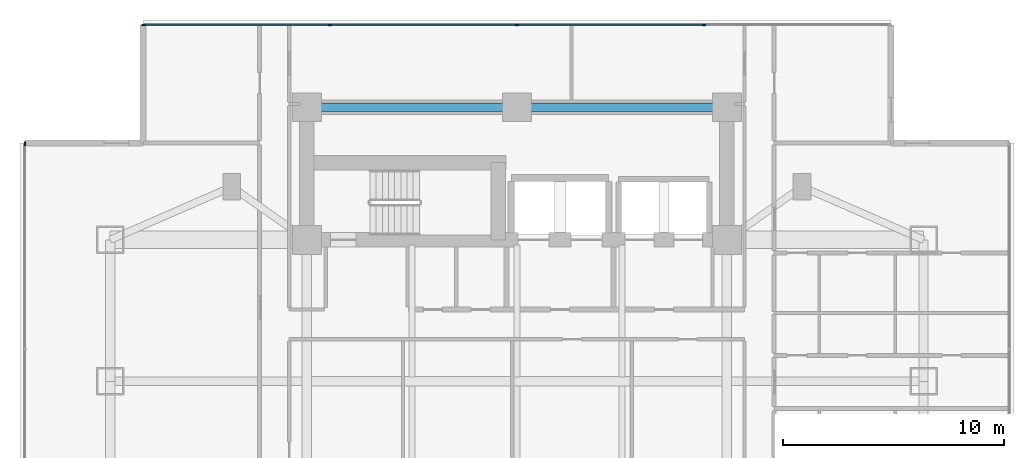
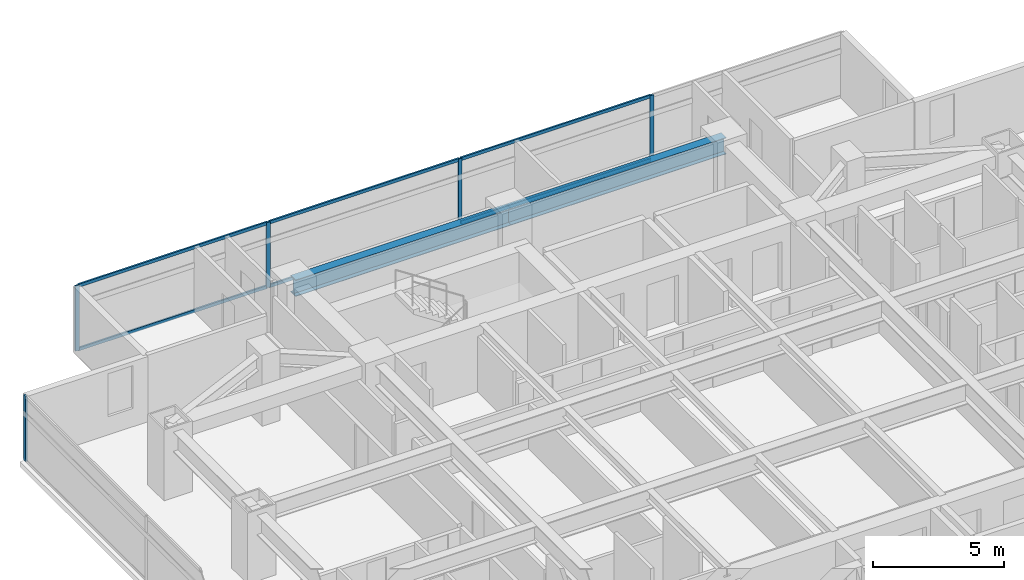
# One storey, part 7 of 24: 11 members, 2 beams, 2 elements without a shape of their own.
"""IFC4 building model written with IfcOpenShell, lengths in metres."""

from ifc_helpers import new_model, si_unit, direction, frame, origin, origin_2d, place, context, subcontext, project, spatial, rectangle, i_section, extrude, material, material_profile, profile_set, type_object, element, aggregate, save


model = new_model("IFC4")

# Units and contexts
model_context = context("Model", 3, precision=1e-05, world=origin(), true_north=direction((0.0, 1.0)))
body_context = subcontext(model_context, "Body", "Model", "MODEL_VIEW")
ifc_project = project(units=[si_unit("LENGTHUNIT", "METRE"), si_unit("AREAUNIT", "SQUARE_METRE"), si_unit("VOLUMEUNIT", "CUBIC_METRE"), si_unit("PLANEANGLEUNIT", "RADIAN"), si_unit("MASSUNIT", "GRAM", prefix="KILO")], contexts=[model_context])

# Site, building, storey
site_placement = place(None, origin())
site = spatial("IfcSite", under=ifc_project, at=site_placement, CompositionType="ELEMENT")
building_placement = place(site_placement, origin())
building = spatial("IfcBuilding", under=site, at=building_placement, Name="Mirazonda Arch Towers", CompositionType="ELEMENT")
storey_placement = place(building_placement, frame((0.0, 0.0, 71.89990234375)))
storey = spatial("IfcBuildingStorey", under=building, at=storey_placement, Name="L20", CompositionType="ELEMENT", Elevation=71.89990234375)

# Beams
ifc_material_1 = material(Name="Steel ASTM A992 Grade 50", Category="steel")
ifc_material_profile_1 = material_profile(ifc_material_1, i_section(OverallWidth=0.381103515625, OverallDepth=0.77294921875, WebThickness=0.0166015625, FlangeThickness=0.027099609375, at=origin_2d()), Name="W30X173")
ifc_profile_set_1 = profile_set([ifc_material_profile_1], Name="Steel ASTM A992 Grade 50")
beam_type = type_object("IfcBeamType", Name="BM-INT-W30X173", PredefinedType="USERDEFINED", material=ifc_profile_set_1)
for number, where, z_axis, x_axis, name in (
    (1, (11.0, 43.60009765625, 2.673583984375), (1.0, 0.0, 0.0), (0.0, 1.0, 0.0), "L20 Floor Beam BM-T1-L20-CN1"),
    (2, (20.5, 43.60009765625, 2.673583984375), (1.0, 0.0, 0.0), (0.0, 1.0, 0.0), "L20 Floor Beam BM-T1-L20-CN2"),
):
    element("IfcBeam", number, at=place(storey_placement, frame(where, z_axis=z_axis, x_axis=x_axis)), inside=storey, type_object=beam_type, Name=name, ObjectType="GIRDER", PredefinedType="USERDEFINED", context=body_context, shape_type="SweptSolid", body=[
        extrude(i_section(OverallWidth=0.381103515625, OverallDepth=0.77294921875, WebThickness=0.0166015625, FlangeThickness=0.027099609375, at=origin_2d()), origin(), (0.0, 0.0, 1.0), 9.5),
    ])

# Curtain wall, members
ifc_material_2 = material(Name="Anodised Aluminium and Low-E Glass", Category="aluminium")
curtain_wall_type = type_object("IfcCurtainWallType", Name="CW-HTL-UNIT", PredefinedType="NOTDEFINED", material=ifc_material_2)
curtain_wall_1_placement = place(storey_placement, origin())
curtain_wall_1 = element("IfcCurtainWall", 3, at=curtain_wall_1_placement, inside=storey, type_object=curtain_wall_type, Name="L20 T1 N Facade CW-L20-T1-N", PredefinedType="NOTDEFINED")
ifc_material_3 = material(Name="Anodised Aluminium Alloy", Category="aluminium")
ifc_material_profile_2 = material_profile(ifc_material_3, rectangle(XDim=0.074951171875, YDim=0.1650390625, at=origin_2d()), Name="ALU-MULL-75x165")
ifc_profile_set_2 = profile_set([ifc_material_profile_2], Name="Anodised Aluminium Alloy")
member_type_1 = type_object("IfcMemberType", Name="MULL-CW-HTL-UNIT", PredefinedType="MULLION", material=ifc_profile_set_2)
member_1_placement = place(storey_placement, frame((3.617431640625, 47.327880859375, 0.0), z_axis=(0.0, 0.0, 1.0), x_axis=(0.0, 1.0, 0.0)))
member_1 = element("IfcMember", 4, at=member_1_placement, type_object=member_type_1, Name="CW-112 mullion 1", PredefinedType="MULLION", context=body_context, shape_type="SweptSolid", body=[
    extrude(rectangle(XDim=0.074951171875, YDim=0.1650390625, at=origin_2d()), origin(), (0.0, 0.0, 1.0), 3.0400390625),
])
member_2_placement = place(storey_placement, frame((12.0400390625, 47.327880859375, 0.0), z_axis=(0.0, 0.0, 1.0), x_axis=(0.0, 1.0, 0.0)))
member_2 = element("IfcMember", 5, at=member_2_placement, type_object=member_type_1, Name="CW-112 mullion 2", PredefinedType="MULLION", context=body_context, shape_type="SweptSolid", body=[
    extrude(rectangle(XDim=0.074951171875, YDim=0.1650390625, at=origin_2d()), origin(), (0.0, 0.0, 1.0), 3.0400390625),
])
member_3_placement = place(storey_placement, frame((20.5, 47.327880859375, 0.0), z_axis=(0.0, 0.0, 1.0), x_axis=(0.0, 1.0, 0.0)))
member_3 = element("IfcMember", 6, at=member_3_placement, type_object=member_type_1, Name="CW-112 mullion 3", PredefinedType="MULLION", context=body_context, shape_type="SweptSolid", body=[
    extrude(rectangle(XDim=0.074951171875, YDim=0.1650390625, at=origin_2d()), origin(), (0.0, 0.0, 1.0), 3.0400390625),
])
member_4_placement = place(storey_placement, frame((28.9599609375, 47.327880859375, 0.0), z_axis=(0.0, 0.0, 1.0), x_axis=(0.0, 1.0, 0.0)))
member_4 = element("IfcMember", 7, at=member_4_placement, type_object=member_type_1, Name="CW-112 mullion 4", PredefinedType="MULLION", context=body_context, shape_type="SweptSolid", body=[
    extrude(rectangle(XDim=0.074951171875, YDim=0.1650390625, at=origin_2d()), origin(), (0.0, 0.0, 1.0), 3.0400390625),
])

# Curtain wall, member
curtain_wall_2_placement = place(storey_placement, origin())
curtain_wall_2 = element("IfcCurtainWall", 8, at=curtain_wall_2_placement, inside=storey, type_object=curtain_wall_type, Name="L20 T1 W Facade CW-L20-T1-W", PredefinedType="NOTDEFINED")
member_5_placement = place(storey_placement, frame((-1.760009765625, 41.950439453125, 0.0), z_axis=(0.0, 0.0, 1.0), x_axis=(1.0, 0.0, 0.0)))
member_5 = element("IfcMember", 9, at=member_5_placement, type_object=member_type_1, Name="CW-112 mullion 1", PredefinedType="MULLION", context=body_context, shape_type="SweptSolid", body=[
    extrude(rectangle(XDim=0.074951171875, YDim=0.1650390625, at=origin_2d()), origin(), (0.0, 0.0, 1.0), 3.0400390625),
])
aggregate(curtain_wall_2, [member_5])

# Member
ifc_material_profile_3 = material_profile(ifc_material_3, rectangle(XDim=0.074951171875, YDim=0.14501953125, at=origin_2d()), Name="ALU-TRAN-75x145")
ifc_profile_set_3 = profile_set([ifc_material_profile_3], Name="Anodised Aluminium Alloy")
member_type_2 = type_object("IfcMemberType", Name="TRAN-CW-HTL-UNIT", PredefinedType="USERDEFINED", material=ifc_profile_set_3)
member_6_placement = place(storey_placement, frame((3.655029296875, 47.327880859375, 0.03759765625), z_axis=(1.0, 0.0, 0.0), x_axis=(0.0, 1.0, 0.0)))
member_6 = element("IfcMember", 10, at=member_6_placement, type_object=member_type_2, Name="CW-112 transom 1.1", ObjectType="TRANSOM", PredefinedType="USERDEFINED", context=body_context, shape_type="SweptSolid", body=[
    extrude(rectangle(XDim=0.074951171875, YDim=0.14501953125, at=origin_2d()), origin(), (0.0, 0.0, 1.0), 8.347412109375),
])

member_7_placement = place(storey_placement, frame((3.655029296875, 47.327880859375, 3.002685546875), z_axis=(1.0, 0.0, 0.0), x_axis=(0.0, 1.0, 0.0)))
member_7 = element("IfcMember", 11, at=member_7_placement, type_object=member_type_2, Name="CW-112 transom 1.2", ObjectType="TRANSOM", PredefinedType="USERDEFINED", context=body_context, shape_type="SweptSolid", body=[
    extrude(rectangle(XDim=0.074951171875, YDim=0.14501953125, at=origin_2d()), origin(), (0.0, 0.0, 1.0), 8.347412109375),
])

member_8_placement = place(storey_placement, frame((12.077392578125, 47.327880859375, 0.03759765625), z_axis=(1.0, 0.0, 0.0), x_axis=(0.0, 1.0, 0.0)))
member_8 = element("IfcMember", 12, at=member_8_placement, type_object=member_type_2, Name="CW-112 transom 2.1", ObjectType="TRANSOM", PredefinedType="USERDEFINED", context=body_context, shape_type="SweptSolid", body=[
    extrude(rectangle(XDim=0.074951171875, YDim=0.14501953125, at=origin_2d()), origin(), (0.0, 0.0, 1.0), 8.385009765625),
])

member_9_placement = place(storey_placement, frame((12.077392578125, 47.327880859375, 3.002685546875), z_axis=(1.0, 0.0, 0.0), x_axis=(0.0, 1.0, 0.0)))
member_9 = element("IfcMember", 13, at=member_9_placement, type_object=member_type_2, Name="CW-112 transom 2.2", ObjectType="TRANSOM", PredefinedType="USERDEFINED", context=body_context, shape_type="SweptSolid", body=[
    extrude(rectangle(XDim=0.074951171875, YDim=0.14501953125, at=origin_2d()), origin(), (0.0, 0.0, 1.0), 8.385009765625),
])

member_10_placement = place(storey_placement, frame((20.53759765625, 47.327880859375, 0.03759765625), z_axis=(1.0, 0.0, 0.0), x_axis=(0.0, 1.0, 0.0)))
member_10 = element("IfcMember", 14, at=member_10_placement, type_object=member_type_2, Name="CW-112 transom 3.1", ObjectType="TRANSOM", PredefinedType="USERDEFINED", context=body_context, shape_type="SweptSolid", body=[
    extrude(rectangle(XDim=0.074951171875, YDim=0.14501953125, at=origin_2d()), origin(), (0.0, 0.0, 1.0), 8.385009765625),
])

member_11_placement = place(storey_placement, frame((20.53759765625, 47.327880859375, 3.002685546875), z_axis=(1.0, 0.0, 0.0), x_axis=(0.0, 1.0, 0.0)))
member_11 = element("IfcMember", 15, at=member_11_placement, type_object=member_type_2, Name="CW-112 transom 3.2", ObjectType="TRANSOM", PredefinedType="USERDEFINED", context=body_context, shape_type="SweptSolid", body=[
    extrude(rectangle(XDim=0.074951171875, YDim=0.14501953125, at=origin_2d()), origin(), (0.0, 0.0, 1.0), 8.385009765625),
])

aggregate(curtain_wall_1, [member_1, member_2, member_3, member_4, member_6, member_7, member_8, member_9, member_10, member_11])

save(model, "model.ifc")
